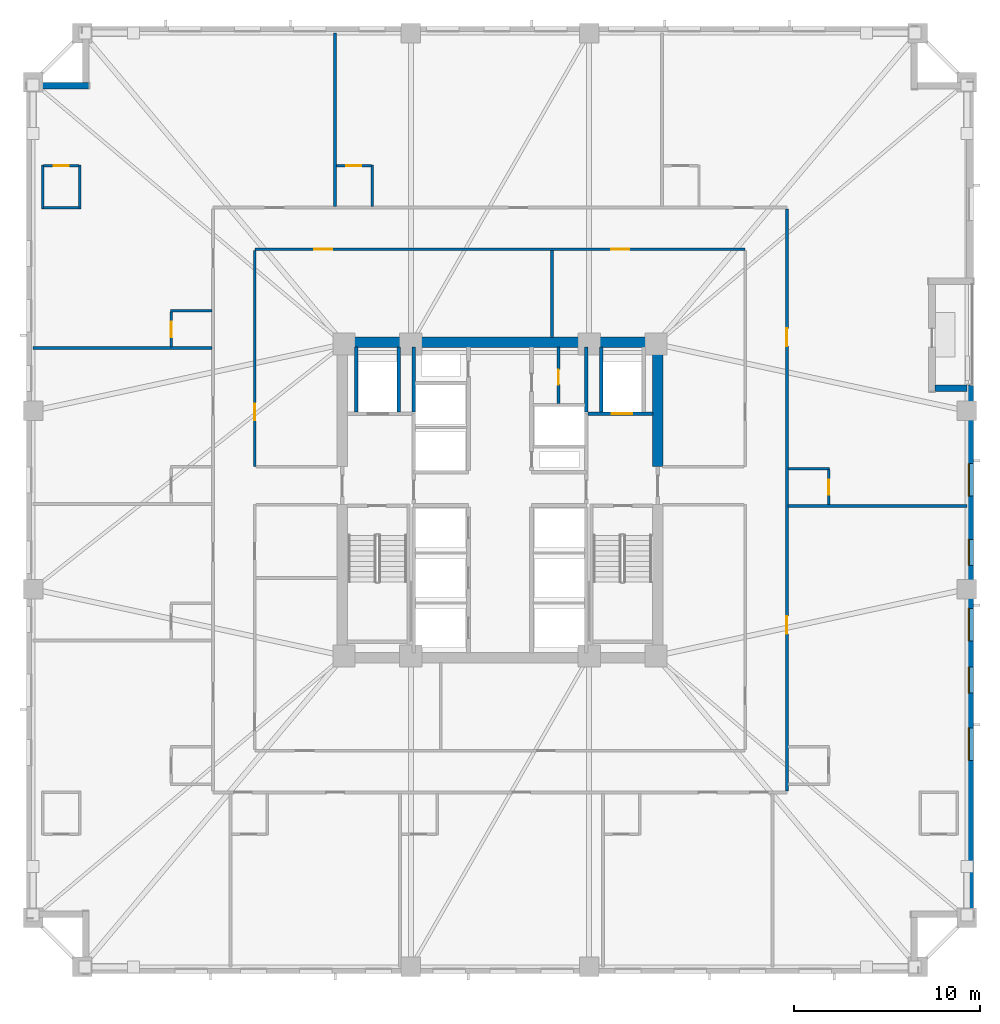
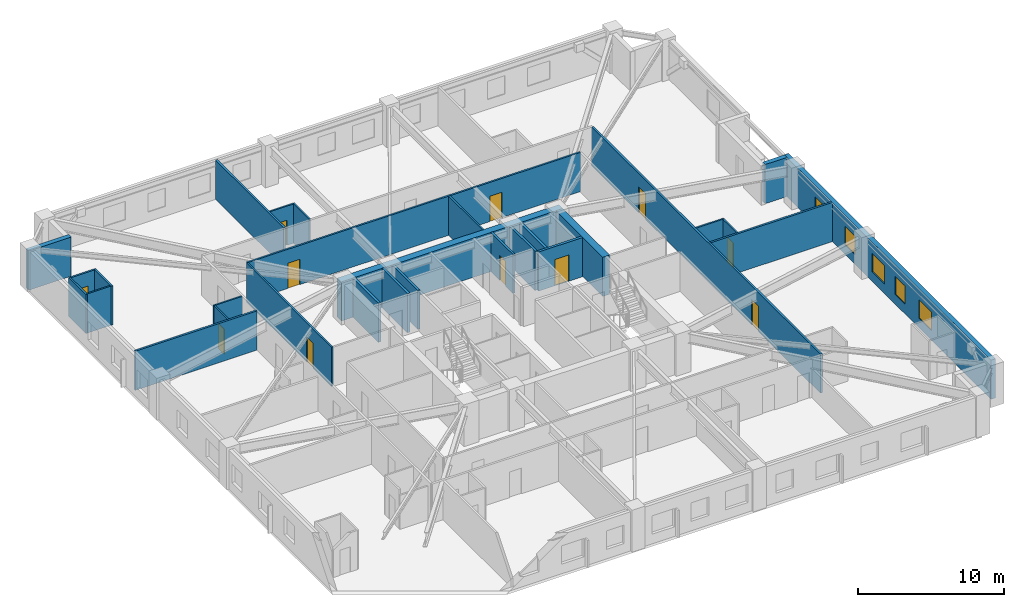
# One storey, part 5 of 11: 29 walls, 11 doors, 5 windows, 16 openings.
"""IFC4 building model written with IfcOpenShell, lengths in metres."""

from ifc_helpers import new_model, si_unit, direction, frame, frame_2d, origin, place, context, subcontext, project, spatial, rectangle, extrude, material, layer, layer_set, type_object, element, fill, save


model = new_model("IFC4")

# Units and contexts
model_context = context("Model", 3, precision=1e-05, world=origin(), true_north=direction((0.0, 1.0)))
body_context = subcontext(model_context, "Body", "Model", "MODEL_VIEW")
ifc_project = project(units=[si_unit("LENGTHUNIT", "METRE"), si_unit("AREAUNIT", "SQUARE_METRE"), si_unit("VOLUMEUNIT", "CUBIC_METRE"), si_unit("PLANEANGLEUNIT", "RADIAN"), si_unit("MASSUNIT", "GRAM", prefix="KILO")], contexts=[model_context])

# Site, building, storey
site_placement = place(None, origin())
site = spatial("IfcSite", under=ifc_project, at=site_placement, CompositionType="ELEMENT")
building_placement = place(site_placement, origin())
building = spatial("IfcBuilding", under=site, at=building_placement, Name="Cairnveth Concourse Tower", CompositionType="ELEMENT")
storey_placement = place(building_placement, frame((0.0, 0.0, 79.5)))
storey = spatial("IfcBuildingStorey", under=building, at=storey_placement, Name="L21", CompositionType="ELEMENT", Elevation=79.5)

# Wall, opening, door
ifc_material_1 = material(Name="Gypsum Plasterboard Partition", Category="gypsum")
ifc_layer_1 = layer(ifc_material_1, 0.159912109375)
ifc_layer_set_1 = layer_set([ifc_layer_1], Name="Gypsum Plasterboard Partition")
wall_type_1 = type_object("IfcWallType", Name="ACOUSTIC PARTY WALL 180", PredefinedType="PARTITIONING", material=ifc_layer_set_1)
wall_1_placement = place(storey_placement, frame((55.14990234375, 44.195068359375, 0.0), z_axis=(0.0, 0.0, 1.0), x_axis=(0.0, 1.0, 0.0)))
wall_1 = element("IfcWall", 1, at=wall_1_placement, inside=storey, type_object=wall_type_1, Name="Interior Wall IW-L21-037", PredefinedType="PARTITIONING", context=body_context, shape_type="SweptSolid", body=[
    extrude(rectangle(XDim=3.044921875, YDim=0.159912109375, at=frame_2d((1.5224609375, 0.0))), origin(), (0.0, 0.0, 1.0), 3.280029296875),
])
opening_1_placement = place(wall_1_placement, frame((1.02490234375, 0.0, 0.0)))
opening_1 = element("IfcOpeningElement", 2, at=opening_1_placement, cuts=wall_1, Name="Opening ID23", PredefinedType="OPENING", context=body_context, shape_type="SweptSolid", body=[
    extrude(rectangle(XDim=0.800048828125, YDim=2.10009765625, at=frame_2d((0.39990234375, 1.050048828125))), frame((0.0, 0.08984375, 0.0), z_axis=(0.0, -1.0, 0.0), x_axis=(1.0, 0.0, 0.0)), (0.0, 0.0, 1.0), 0.179931640625),
])
ifc_material_2 = material(Name="Steel Grade 350", Category="steel")
door_type_1 = type_object("IfcDoorType", Name="CORE SERVICE DOOR 800X2100", OperationType="NOTDEFINED", PredefinedType="DOOR", material=ifc_material_2)
door_1_placement = place(opening_1_placement, origin())
door_1 = element("IfcDoor", 3, at=door_1_placement, inside=storey, type_object=door_type_1, Name="NE Linen Closet Door L21", OperationType="SINGLE_SWING_LEFT", OverallHeight=2.10009765625, OverallWidth=0.800048828125, PredefinedType="DOOR", context=body_context, shape_type="SweptSolid", body=[
    extrude(rectangle(XDim=0.800048828125, YDim=2.10009765625, at=frame_2d((0.39990234375, 1.050048828125))), frame((0.0, 0.02490234375, 0.0), z_axis=(0.0, -1.0, 0.0), x_axis=(1.0, 0.0, 0.0)), (0.0, 0.0, 1.0), 0.050048828125),
])
fill(opening_1, door_1)

# Wall, openings, doors
wall_2_placement = place(storey_placement, frame((67.449951171875, 23.31494140625, 0.0), z_axis=(0.0, 0.0, 1.0), x_axis=(0.0, 1.0, 0.0)))
wall_2 = element("IfcWall", 4, at=wall_2_placement, inside=storey, type_object=wall_type_1, Name="Interior Wall IW-L21-041", PredefinedType="PARTITIONING", context=body_context, shape_type="SweptSolid", body=[
    extrude(rectangle(XDim=31.3701171875, YDim=0.159912109375, at=frame_2d((15.68505859375, 0.0))), origin(), (0.0, 0.0, 1.0), 3.280029296875),
])
opening_2_placement = place(wall_2_placement, frame((8.47412109375, 0.0, 0.0)))
opening_2 = element("IfcOpeningElement", 5, at=opening_2_placement, cuts=wall_2, Name="Opening ID09", PredefinedType="OPENING", context=body_context, shape_type="SweptSolid", body=[
    extrude(rectangle(XDim=0.9599609375, YDim=2.14990234375, at=frame_2d((0.47998046875, 1.074951171875))), frame((0.0, 0.08984375, 0.0), z_axis=(0.0, -1.0, 0.0), x_axis=(1.0, 0.0, 0.0)), (0.0, 0.0, 1.0), 0.179931640625),
])
opening_3_placement = place(wall_2_placement, frame((23.97412109375, 0.0, 0.0)))
opening_3 = element("IfcOpeningElement", 6, at=opening_3_placement, cuts=wall_2, Name="Opening ID09", PredefinedType="OPENING", context=body_context, shape_type="SweptSolid", body=[
    extrude(rectangle(XDim=0.9599609375, YDim=2.14990234375, at=frame_2d((0.47998046875, 1.074951171875))), frame((0.0, 0.08984375, 0.0), z_axis=(0.0, -1.0, 0.0), x_axis=(1.0, 0.0, 0.0)), (0.0, 0.0, 1.0), 0.179931640625),
])
ifc_material_3 = material(Name="Solid Core Hardwood Timber Leaf", Category="wood")
door_type_2 = type_object("IfcDoorType", Name="HOTEL ENTRANCE DOOR 960X2150", OperationType="NOTDEFINED", PredefinedType="DOOR", material=ifc_material_3)
door_2_placement = place(opening_2_placement, origin())
door_2 = element("IfcDoor", 7, at=door_2_placement, inside=storey, type_object=door_type_2, Name="Hotel Room Door L21-E1", OperationType="SINGLE_SWING_RIGHT", OverallHeight=2.14990234375, OverallWidth=0.9599609375, PredefinedType="DOOR", context=body_context, shape_type="SweptSolid", body=[
    extrude(rectangle(XDim=0.9599609375, YDim=2.14990234375, at=frame_2d((0.47998046875, 1.074951171875))), frame((0.0, 0.02490234375, 0.0), z_axis=(0.0, -1.0, 0.0), x_axis=(1.0, 0.0, 0.0)), (0.0, 0.0, 1.0), 0.050048828125),
])
fill(opening_2, door_2)
door_3_placement = place(opening_3_placement, origin())
door_3 = element("IfcDoor", 8, at=door_3_placement, inside=storey, type_object=door_type_2, Name="Hotel Room Door L21-E2", OperationType="SINGLE_SWING_RIGHT", OverallHeight=2.14990234375, OverallWidth=0.9599609375, PredefinedType="DOOR", context=body_context, shape_type="SweptSolid", body=[
    extrude(rectangle(XDim=0.9599609375, YDim=2.14990234375, at=frame_2d((0.47998046875, 1.074951171875))), frame((0.0, 0.02490234375, 0.0), z_axis=(0.0, -1.0, 0.0), x_axis=(1.0, 0.0, 0.0)), (0.0, 0.0, 1.0), 0.050048828125),
])
fill(opening_3, door_3)

# Walls
wall_3_placement = place(storey_placement, frame((43.1201171875, 54.81494140625, 0.0), z_axis=(0.0, 0.0, 1.0), x_axis=(0.0, 1.0, 0.0)))
element("IfcWall", 9, at=wall_3_placement, inside=storey, type_object=wall_type_1, Name="Interior Wall IW-L21-077", PredefinedType="PARTITIONING", context=body_context, shape_type="SweptSolid", body=[
    extrude(rectangle(XDim=9.340087890625, YDim=0.159912109375, at=frame_2d((4.669921875, 0.0))), origin(), (0.0, 0.0, 1.0), 3.280029296875),
])
for number, where, z_axis, x_axis, name in (
    (10, (26.844970703125, 47.18701171875, 0.0), (0.0, 0.0, 1.0), (1.0, 0.0, 0.0), "Interior Wall IW-L21-092"),
    (11, (67.514892578125, 38.68798828125, 0.0), (0.0, 0.0, 1.0), (1.0, 0.0, 0.0), "Interior Wall IW-L21-098"),
):
    element("IfcWall", number, at=place(storey_placement, frame(where, z_axis=z_axis, x_axis=x_axis)), inside=storey, type_object=wall_type_1, Name=name, PredefinedType="PARTITIONING", context=body_context, shape_type="SweptSolid", body=[
        extrude(rectangle(XDim=9.64013671875, YDim=0.159912109375, at=frame_2d((4.820068359375, 0.0))), origin(), (0.0, 0.0, 1.0), 3.280029296875),
    ])
ifc_material_4 = material(Name="Concrete N80 (80 MPa)", Category="concrete")
ifc_layer_2 = layer(ifc_material_4, 0.550048828125)
ifc_layer_set_2 = layer_set([ifc_layer_2], Name="Concrete N80 (80 MPa)")
wall_type_2 = type_object("IfcWallType", Name="CORE SHEAR WALL 550", PredefinedType="SHEAR", material=ifc_layer_set_2)
wall_4_placement = place(storey_placement, frame((43.22509765625, 47.5, 0.0), z_axis=(0.0, 0.0, 1.0), x_axis=(1.0, 0.0, 0.0)))
element("IfcWall", 12, at=wall_4_placement, inside=storey, type_object=wall_type_2, Name="Core North Shear Wall L21", PredefinedType="SHEAR", context=body_context, shape_type="SweptSolid", body=[
    extrude(rectangle(XDim=17.5498046875, YDim=0.550048828125, at=frame_2d((8.77490234375, 0.0))), origin(), (0.0, 0.0, 1.0), 3.280029296875),
])
wall_5_placement = place(storey_placement, frame((60.5, 40.800048828125, 0.0), z_axis=(0.0, 0.0, 1.0), x_axis=(0.0, 1.0, 0.0)))
element("IfcWall", 13, at=wall_5_placement, inside=storey, type_object=wall_type_2, Name="Core East Shear Wall N L21", PredefinedType="SHEAR", context=body_context, shape_type="SweptSolid", body=[
    extrude(rectangle(XDim=6.43505859375, YDim=0.550048828125, at=frame_2d((3.217529296875, 0.0))), origin(), (0.0, 0.0, 1.0), 3.280029296875),
])
ifc_material_5 = material(Name="Concrete N50 (50 MPa)", Category="concrete")
ifc_layer_3 = layer(ifc_material_5, 0.179931640625)
ifc_layer_set_3 = layer_set([ifc_layer_3], Name="Concrete N50 (50 MPa)")
wall_type_3 = type_object("IfcWallType", Name="FIRE SHAFT WALL 180", PredefinedType="SOLIDWALL", material=ifc_layer_set_3)
for number, where, z_axis, x_axis, name in (
    (14, (47.35009765625, 43.735107421875, 0.0), (0.0, 0.0, 1.0), (0.0, 1.0, 0.0), "Interior Wall IW-L21-031"),
    (15, (56.64990234375, 43.735107421875, 0.0), (0.0, 0.0, 1.0), (0.0, 1.0, 0.0), "Interior Wall IW-L21-034"),
):
    element("IfcWall", number, at=place(storey_placement, frame(where, z_axis=z_axis, x_axis=x_axis)), inside=storey, type_object=wall_type_3, Name=name, PredefinedType="SOLIDWALL", context=body_context, shape_type="SweptSolid", body=[
        extrude(rectangle(XDim=3.5048828125, YDim=0.179931640625, at=frame_2d((1.75244140625, 0.0))), origin(), (0.0, 0.0, 1.0), 3.280029296875),
    ])
ifc_layer_4 = layer(ifc_material_5, 0.199951171875)
ifc_layer_set_4 = layer_set([ifc_layer_4], Name="Concrete N50 (50 MPa)")
wall_type_4 = type_object("IfcWallType", Name="FIRE SHAFT WALL 200", PredefinedType="SOLIDWALL", material=ifc_layer_set_4)
for number, where, z_axis, x_axis, name in (
    (16, (46.550048828125, 43.735107421875, 0.0), (0.0, 0.0, 1.0), (0.0, 1.0, 0.0), "Interior Wall IW-L21-018"),
    (17, (44.25, 43.735107421875, 0.0), (0.0, 0.0, 1.0), (0.0, 1.0, 0.0), "Interior Wall IW-L21-019"),
):
    element("IfcWall", number, at=place(storey_placement, frame(where, z_axis=z_axis, x_axis=x_axis)), inside=storey, type_object=wall_type_4, Name=name, PredefinedType="SOLIDWALL", context=body_context, shape_type="SweptSolid", body=[
        extrude(rectangle(XDim=3.5048828125, YDim=0.199951171875, at=frame_2d((1.75244140625, 0.0))), origin(), (0.0, 0.0, 1.0), 3.280029296875),
    ])

# Wall, opening, door
wall_6_placement = place(storey_placement, frame((56.735107421875, 43.64990234375, 0.0), z_axis=(0.0, 0.0, 1.0), x_axis=(1.0, 0.0, 0.0)))
wall_6 = element("IfcWall", 18, at=wall_6_placement, inside=storey, type_object=wall_type_4, Name="Interior Wall IW-L21-022", PredefinedType="SOLIDWALL", context=body_context, shape_type="SweptSolid", body=[
    extrude(rectangle(XDim=3.5048828125, YDim=0.199951171875, at=frame_2d((1.75244140625, 0.0))), origin(), (0.0, 0.0, 1.0), 3.280029296875),
])
opening_4_placement = place(wall_6_placement, frame((1.294921875, 0.0, 0.0)))
opening_4 = element("IfcOpeningElement", 19, at=opening_4_placement, cuts=wall_6, Name="Opening LD-1", PredefinedType="OPENING", context=body_context, shape_type="SweptSolid", body=[
    extrude(rectangle(XDim=1.10009765625, YDim=2.199951171875, at=frame_2d((0.550048828125, 1.10009765625))), frame((0.0, 0.10986328125, 0.0), z_axis=(0.0, -1.0, 0.0), x_axis=(1.0, 0.0, 0.0)), (0.0, 0.0, 1.0), 0.219970703125),
])
ifc_material_6 = material(Name="Architectural Bronze Anodised Aluminium 6063-T6", Category="aluminium")
door_type_3 = type_object("IfcDoorType", Name="LIFT LANDING DOOR 1100X2200", OperationType="SLIDING_TO_LEFT", PredefinedType="DOOR", material=ifc_material_6)
door_4_placement = place(opening_4_placement, origin())
door_4 = element("IfcDoor", 20, at=door_4_placement, inside=storey, type_object=door_type_3, Name="Lift FFL2 Landing Door L21", OperationType="SLIDING_TO_LEFT", OverallHeight=2.199951171875, OverallWidth=1.10009765625, PredefinedType="DOOR", context=body_context, shape_type="SweptSolid", body=[
    extrude(rectangle(XDim=1.10009765625, YDim=2.199951171875, at=frame_2d((0.550048828125, 1.10009765625))), frame((0.0, 0.02490234375, 0.0), z_axis=(0.0, -1.0, 0.0), x_axis=(1.0, 0.0, 0.0)), (0.0, 0.0, 1.0), 0.050048828125),
])
fill(opening_4, door_4)

# Wall
wall_7_placement = place(storey_placement, frame((57.449951171875, 43.735107421875, 0.0), z_axis=(0.0, 0.0, 1.0), x_axis=(0.0, 1.0, 0.0)))
element("IfcWall", 21, at=wall_7_placement, inside=storey, type_object=wall_type_4, Name="Interior Wall IW-L21-023", PredefinedType="SOLIDWALL", context=body_context, shape_type="SweptSolid", body=[
    extrude(rectangle(XDim=3.5048828125, YDim=0.199951171875, at=frame_2d((1.75244140625, 0.0))), origin(), (0.0, 0.0, 1.0), 3.280029296875),
])

# Wall, openings, doors
ifc_layer_5 = layer(ifc_material_1, 0.139892578125)
ifc_layer_set_5 = layer_set([ifc_layer_5], Name="Gypsum Plasterboard Partition")
wall_type_5 = type_object("IfcWallType", Name="GYPSUM STUD PARTITION 140", PredefinedType="PARTITIONING", material=ifc_layer_set_5)
wall_8_placement = place(storey_placement, frame((38.800048828125, 52.5, 0.0), z_axis=(0.0, 0.0, 1.0), x_axis=(1.0, 0.0, 0.0)))
wall_8 = element("IfcWall", 22, at=wall_8_placement, inside=storey, type_object=wall_type_5, Name="Interior Wall IW-L21-043", PredefinedType="PARTITIONING", context=body_context, shape_type="SweptSolid", body=[
    extrude(rectangle(XDim=26.39990234375, YDim=0.139892578125, at=frame_2d((13.199951171875, 0.0))), origin(), (0.0, 0.0, 1.0), 3.280029296875),
])
opening_5_placement = place(wall_8_placement, frame((3.199951171875, 0.0, 0.0)))
opening_5 = element("IfcOpeningElement", 23, at=opening_5_placement, cuts=wall_8, Name="Opening ID11", PredefinedType="OPENING", context=body_context, shape_type="SweptSolid", body=[
    extrude(rectangle(XDim=0.9599609375, YDim=2.1201171875, at=frame_2d((0.47998046875, 1.06005859375))), frame((0.0, 0.079833984375, 0.0), z_axis=(0.0, -1.0, 0.0), x_axis=(1.0, 0.0, 0.0)), (0.0, 0.0, 1.0), 0.159912109375),
])
opening_6_placement = place(wall_8_placement, frame((19.199951171875, 0.0, 0.0)))
opening_6 = element("IfcOpeningElement", 24, at=opening_6_placement, cuts=wall_8, Name="Opening ID11", PredefinedType="OPENING", context=body_context, shape_type="SweptSolid", body=[
    extrude(rectangle(XDim=0.9599609375, YDim=2.1201171875, at=frame_2d((0.47998046875, 1.06005859375))), frame((0.0, 0.079833984375, 0.0), z_axis=(0.0, -1.0, 0.0), x_axis=(1.0, 0.0, 0.0)), (0.0, 0.0, 1.0), 0.159912109375),
])
door_type_4 = type_object("IfcDoorType", Name="INTERIOR SINGLE DOOR 960X2150", OperationType="NOTDEFINED", PredefinedType="DOOR", material=ifc_material_3)
door_5_placement = place(opening_5_placement, origin())
door_5 = element("IfcDoor", 25, at=door_5_placement, inside=storey, type_object=door_type_4, Name="Interior Door DR-L21-016", OperationType="SINGLE_SWING_RIGHT", OverallHeight=2.1201171875, OverallWidth=0.9599609375, PredefinedType="DOOR", context=body_context, shape_type="SweptSolid", body=[
    extrude(rectangle(XDim=0.9599609375, YDim=2.1201171875, at=frame_2d((0.47998046875, 1.06005859375))), frame((0.0, 0.02490234375, 0.0), z_axis=(0.0, -1.0, 0.0), x_axis=(1.0, 0.0, 0.0)), (0.0, 0.0, 1.0), 0.050048828125),
])
fill(opening_5, door_5)
door_6_placement = place(opening_6_placement, origin())
door_6 = element("IfcDoor", 26, at=door_6_placement, inside=storey, type_object=door_type_4, Name="Interior Door DR-L21-017", OperationType="SINGLE_SWING_LEFT", OverallHeight=2.1201171875, OverallWidth=0.9599609375, PredefinedType="DOOR", context=body_context, shape_type="SweptSolid", body=[
    extrude(rectangle(XDim=0.9599609375, YDim=2.1201171875, at=frame_2d((0.47998046875, 1.06005859375))), frame((0.0, 0.02490234375, 0.0), z_axis=(0.0, -1.0, 0.0), x_axis=(1.0, 0.0, 0.0)), (0.0, 0.0, 1.0), 0.050048828125),
])
fill(opening_6, door_6)

# Wall, opening, door
wall_9_placement = place(storey_placement, frame((38.800048828125, 40.800048828125, 0.0), z_axis=(0.0, 0.0, 1.0), x_axis=(0.0, 1.0, 0.0)))
wall_9 = element("IfcWall", 27, at=wall_9_placement, inside=storey, type_object=wall_type_5, Name="Interior Wall IW-L21-045", PredefinedType="PARTITIONING", context=body_context, shape_type="SweptSolid", body=[
    extrude(rectangle(XDim=11.64501953125, YDim=0.139892578125, at=frame_2d((5.822509765625, 0.0))), origin(), (0.0, 0.0, 1.0), 3.280029296875),
])
opening_7_placement = place(wall_9_placement, frame((2.5, 0.0, 0.0)))
opening_7 = element("IfcOpeningElement", 28, at=opening_7_placement, cuts=wall_9, Name="Opening ID18", PredefinedType="OPENING", context=body_context, shape_type="SweptSolid", body=[
    extrude(rectangle(XDim=0.8798828125, YDim=2.10009765625, at=frame_2d((0.43994140625, 1.050048828125))), frame((0.0, 0.079833984375, 0.0), z_axis=(0.0, -1.0, 0.0), x_axis=(1.0, 0.0, 0.0)), (0.0, 0.0, 1.0), 0.159912109375),
])
door_type_5 = type_object("IfcDoorType", Name="INTERIOR SINGLE DOOR 880X2100", OperationType="NOTDEFINED", PredefinedType="DOOR", material=ifc_material_3)
door_7_placement = place(opening_7_placement, origin())
door_7 = element("IfcDoor", 29, at=door_7_placement, inside=storey, type_object=door_type_5, Name="Interior Door DR-L21-020", OperationType="SINGLE_SWING_RIGHT", OverallHeight=2.10009765625, OverallWidth=0.8798828125, PredefinedType="DOOR", context=body_context, shape_type="SweptSolid", body=[
    extrude(rectangle(XDim=0.8798828125, YDim=2.10009765625, at=frame_2d((0.43994140625, 1.050048828125))), frame((0.0, 0.02490234375, 0.0), z_axis=(0.0, -1.0, 0.0), x_axis=(1.0, 0.0, 0.0)), (0.0, 0.0, 1.0), 0.050048828125),
])
fill(opening_7, door_7)

# Walls
wall_10_placement = place(storey_placement, frame((54.800048828125, 47.760009765625, 0.0), z_axis=(0.0, 0.0, 1.0), x_axis=(0.0, 1.0, 0.0)))
element("IfcWall", 30, at=wall_10_placement, inside=storey, type_object=wall_type_5, Name="Interior Wall IW-L21-053", PredefinedType="PARTITIONING", context=body_context, shape_type="SweptSolid", body=[
    extrude(rectangle(XDim=4.68505859375, YDim=0.139892578125, at=frame_2d((2.342529296875, 0.0))), origin(), (0.0, 0.0, 1.0), 3.280029296875),
])
ifc_layer_6 = layer(ifc_material_1, 0.1298828125)
ifc_layer_set_6 = layer_set([ifc_layer_6], Name="Gypsum Plasterboard Partition")
wall_type_6 = type_object("IfcWallType", Name="WET AREA PARTITION 140", PredefinedType="PLUMBINGWALL", material=ifc_layer_set_6)
for number, where, z_axis, x_axis, name in (
    (31, (27.3701171875, 54.669921875, 0.0), (0.0, 0.0, 1.0), (0.0, 1.0, 0.0), "Interior Wall IW-L21-073"),
    (32, (29.3701171875, 54.669921875, 0.0), (0.0, 0.0, 1.0), (0.0, 1.0, 0.0), "Interior Wall IW-L21-074"),
):
    element("IfcWall", number, at=place(storey_placement, frame(where, z_axis=z_axis, x_axis=x_axis)), inside=storey, type_object=wall_type_6, Name=name, PredefinedType="PLUMBINGWALL", context=body_context, shape_type="SweptSolid", body=[
        extrude(rectangle(XDim=2.380126953125, YDim=0.1298828125, at=frame_2d((1.18994140625, 0.0))), origin(), (0.0, 0.0, 1.0), 3.280029296875),
    ])

# Wall, opening, door
wall_11_placement = place(storey_placement, frame((27.419921875, 57.0, 0.0), z_axis=(0.0, 0.0, 1.0), x_axis=(1.0, 0.0, 0.0)))
wall_11 = element("IfcWall", 33, at=wall_11_placement, inside=storey, type_object=wall_type_6, Name="Interior Wall IW-L21-075", PredefinedType="PLUMBINGWALL", context=body_context, shape_type="SweptSolid", body=[
    extrude(rectangle(XDim=1.900146484375, YDim=0.1298828125, at=frame_2d((0.9501953125, 0.0))), origin(), (0.0, 0.0, 1.0), 3.280029296875),
])
opening_8_placement = place(wall_11_placement, frame((0.5400390625, 0.0, 0.0)))
opening_8 = element("IfcOpeningElement", 34, at=opening_8_placement, cuts=wall_11, Name="Opening ID22", PredefinedType="OPENING", context=body_context, shape_type="SweptSolid", body=[
    extrude(rectangle(XDim=0.820068359375, YDim=2.10009765625, at=frame_2d((0.41015625, 1.050048828125))), frame((0.0, 0.074951171875, 0.0), z_axis=(0.0, -1.0, 0.0), x_axis=(1.0, 0.0, 0.0)), (0.0, 0.0, 1.0), 0.14990234375),
])
door_type_6 = type_object("IfcDoorType", Name="INTERIOR WC DOOR 820X2100", OperationType="NOTDEFINED", PredefinedType="DOOR", material=ifc_material_3)
door_8_placement = place(opening_8_placement, origin())
door_8 = element("IfcDoor", 35, at=door_8_placement, inside=storey, type_object=door_type_6, Name="En-Suite Door L21-N1", OperationType="SINGLE_SWING_LEFT", OverallHeight=2.10009765625, OverallWidth=0.820068359375, PredefinedType="DOOR", context=body_context, shape_type="SweptSolid", body=[
    extrude(rectangle(XDim=0.820068359375, YDim=2.10009765625, at=frame_2d((0.41015625, 1.050048828125))), frame((0.0, 0.02490234375, 0.0), z_axis=(0.0, -1.0, 0.0), x_axis=(1.0, 0.0, 0.0)), (0.0, 0.0, 1.0), 0.050048828125),
])
fill(opening_8, door_8)

# Walls
wall_12_placement = place(storey_placement, frame((27.419921875, 54.75, 0.0), z_axis=(0.0, 0.0, 1.0), x_axis=(1.0, 0.0, 0.0)))
element("IfcWall", 36, at=wall_12_placement, inside=storey, type_object=wall_type_6, Name="Interior Wall IW-L21-076", PredefinedType="PLUMBINGWALL", context=body_context, shape_type="SweptSolid", body=[
    extrude(rectangle(XDim=1.900146484375, YDim=0.1298828125, at=frame_2d((0.9501953125, 0.0))), origin(), (0.0, 0.0, 1.0), 3.280029296875),
])
wall_13_placement = place(storey_placement, frame((45.1201171875, 54.81494140625, 0.0), z_axis=(0.0, 0.0, 1.0), x_axis=(0.0, 1.0, 0.0)))
element("IfcWall", 37, at=wall_13_placement, inside=storey, type_object=wall_type_6, Name="Interior Wall IW-L21-078", PredefinedType="PLUMBINGWALL", context=body_context, shape_type="SweptSolid", body=[
    extrude(rectangle(XDim=2.235107421875, YDim=0.1298828125, at=frame_2d((1.11767578125, 0.0))), origin(), (0.0, 0.0, 1.0), 3.280029296875),
])

# Wall, opening, door
wall_14_placement = place(storey_placement, frame((43.18505859375, 57.0, 0.0), z_axis=(0.0, 0.0, 1.0), x_axis=(1.0, 0.0, 0.0)))
wall_14 = element("IfcWall", 38, at=wall_14_placement, inside=storey, type_object=wall_type_6, Name="Interior Wall IW-L21-079", PredefinedType="PLUMBINGWALL", context=body_context, shape_type="SweptSolid", body=[
    extrude(rectangle(XDim=1.885009765625, YDim=0.1298828125, at=frame_2d((0.9423828125, 0.0))), origin(), (0.0, 0.0, 1.0), 3.280029296875),
])
opening_9_placement = place(wall_14_placement, frame((0.52490234375, 0.0, 0.0)))
opening_9 = element("IfcOpeningElement", 39, at=opening_9_placement, cuts=wall_14, Name="Opening ID22", PredefinedType="OPENING", context=body_context, shape_type="SweptSolid", body=[
    extrude(rectangle(XDim=0.820068359375, YDim=2.10009765625, at=frame_2d((0.41015625, 1.050048828125))), frame((0.0, 0.074951171875, 0.0), z_axis=(0.0, -1.0, 0.0), x_axis=(1.0, 0.0, 0.0)), (0.0, 0.0, 1.0), 0.14990234375),
])
door_9_placement = place(opening_9_placement, origin())
door_9 = element("IfcDoor", 40, at=door_9_placement, inside=storey, type_object=door_type_6, Name="En-Suite Door L21-N2", OperationType="SINGLE_SWING_LEFT", OverallHeight=2.10009765625, OverallWidth=0.820068359375, PredefinedType="DOOR", context=body_context, shape_type="SweptSolid", body=[
    extrude(rectangle(XDim=0.820068359375, YDim=2.10009765625, at=frame_2d((0.41015625, 1.050048828125))), frame((0.0, 0.02490234375, 0.0), z_axis=(0.0, -1.0, 0.0), x_axis=(1.0, 0.0, 0.0)), (0.0, 0.0, 1.0), 0.050048828125),
])
fill(opening_9, door_9)

# Wall
wall_15_placement = place(storey_placement, frame((34.25, 49.18701171875, 0.0), z_axis=(0.0, 0.0, 1.0), x_axis=(1.0, 0.0, 0.0)))
element("IfcWall", 41, at=wall_15_placement, inside=storey, type_object=wall_type_6, Name="Interior Wall IW-L21-093", PredefinedType="PLUMBINGWALL", context=body_context, shape_type="SweptSolid", body=[
    extrude(rectangle(XDim=2.235107421875, YDim=0.1298828125, at=frame_2d((1.11767578125, 0.0))), origin(), (0.0, 0.0, 1.0), 3.280029296875),
])

# Wall, opening, door
wall_16_placement = place(storey_placement, frame((34.300048828125, 47.251953125, 0.0), z_axis=(0.0, 0.0, 1.0), x_axis=(0.0, 1.0, 0.0)))
wall_16 = element("IfcWall", 42, at=wall_16_placement, inside=storey, type_object=wall_type_6, Name="Interior Wall IW-L21-094", PredefinedType="PLUMBINGWALL", context=body_context, shape_type="SweptSolid", body=[
    extrude(rectangle(XDim=1.885009765625, YDim=0.1298828125, at=frame_2d((0.9423828125, 0.0))), origin(), (0.0, 0.0, 1.0), 3.280029296875),
])
opening_10_placement = place(wall_16_placement, frame((0.52490234375, 0.0, 0.0)))
opening_10 = element("IfcOpeningElement", 43, at=opening_10_placement, cuts=wall_16, Name="Opening ID22", PredefinedType="OPENING", context=body_context, shape_type="SweptSolid", body=[
    extrude(rectangle(XDim=0.820068359375, YDim=2.10009765625, at=frame_2d((0.41015625, 1.050048828125))), frame((0.0, 0.074951171875, 0.0), z_axis=(0.0, -1.0, 0.0), x_axis=(1.0, 0.0, 0.0)), (0.0, 0.0, 1.0), 0.14990234375),
])
door_10_placement = place(opening_10_placement, origin())
door_10 = element("IfcDoor", 44, at=door_10_placement, inside=storey, type_object=door_type_6, Name="En-Suite Door L21-W4", OperationType="SINGLE_SWING_LEFT", OverallHeight=2.10009765625, OverallWidth=0.820068359375, PredefinedType="DOOR", context=body_context, shape_type="SweptSolid", body=[
    extrude(rectangle(XDim=0.820068359375, YDim=2.10009765625, at=frame_2d((0.41015625, 1.050048828125))), frame((0.0, 0.02490234375, 0.0), z_axis=(0.0, -1.0, 0.0), x_axis=(1.0, 0.0, 0.0)), (0.0, 0.0, 1.0), 0.050048828125),
])
fill(opening_10, door_10)

# Wall
wall_17_placement = place(storey_placement, frame((67.514892578125, 40.68798828125, 0.0), z_axis=(0.0, 0.0, 1.0), x_axis=(1.0, 0.0, 0.0)))
element("IfcWall", 45, at=wall_17_placement, inside=storey, type_object=wall_type_6, Name="Interior Wall IW-L21-099", PredefinedType="PLUMBINGWALL", context=body_context, shape_type="SweptSolid", body=[
    extrude(rectangle(XDim=2.235107421875, YDim=0.1298828125, at=frame_2d((1.11767578125, 0.0))), origin(), (0.0, 0.0, 1.0), 3.280029296875),
])

# Wall, opening, door
wall_18_placement = place(storey_placement, frame((69.699951171875, 38.7529296875, 0.0), z_axis=(0.0, 0.0, 1.0), x_axis=(0.0, 1.0, 0.0)))
wall_18 = element("IfcWall", 46, at=wall_18_placement, inside=storey, type_object=wall_type_6, Name="Interior Wall IW-L21-100", PredefinedType="PLUMBINGWALL", context=body_context, shape_type="SweptSolid", body=[
    extrude(rectangle(XDim=1.885009765625, YDim=0.1298828125, at=frame_2d((0.9423828125, 0.0))), origin(), (0.0, 0.0, 1.0), 3.280029296875),
])
opening_11_placement = place(wall_18_placement, frame((0.52490234375, 0.0, 0.0)))
opening_11 = element("IfcOpeningElement", 47, at=opening_11_placement, cuts=wall_18, Name="Opening ID22", PredefinedType="OPENING", context=body_context, shape_type="SweptSolid", body=[
    extrude(rectangle(XDim=0.820068359375, YDim=2.10009765625, at=frame_2d((0.41015625, 1.050048828125))), frame((0.0, 0.074951171875, 0.0), z_axis=(0.0, -1.0, 0.0), x_axis=(1.0, 0.0, 0.0)), (0.0, 0.0, 1.0), 0.14990234375),
])
door_11_placement = place(opening_11_placement, origin())
door_11 = element("IfcDoor", 48, at=door_11_placement, inside=storey, type_object=door_type_6, Name="En-Suite Door L21-E2", OperationType="SINGLE_SWING_LEFT", OverallHeight=2.10009765625, OverallWidth=0.820068359375, PredefinedType="DOOR", context=body_context, shape_type="SweptSolid", body=[
    extrude(rectangle(XDim=0.820068359375, YDim=2.10009765625, at=frame_2d((0.41015625, 1.050048828125))), frame((0.0, 0.02490234375, 0.0), z_axis=(0.0, -1.0, 0.0), x_axis=(1.0, 0.0, 0.0)), (0.0, 0.0, 1.0), 0.050048828125),
])
fill(opening_11, door_11)

# Wall, openings, windows
ifc_material_7 = material(Name="Hawthorn Red-Ochre Fired Clay Brick Masonry", Category="masonry")
ifc_layer_7 = layer(ifc_material_7, 0.360107421875)
ifc_layer_set_7 = layer_set([ifc_layer_7], Name="Hawthorn Red-Ochre Fired Clay Brick Masonry")
wall_type_7 = type_object("IfcWallType", Name="ZONE 1 BRICK PIER SPANDREL WALL 360", PredefinedType="SOLIDWALL", material=ifc_layer_set_7)
wall_19_placement = place(storey_placement, frame((77.320068359375, 45.199951171875, 0.0), z_axis=(0.0, 0.0, 1.0), x_axis=(0.0, -1.0, 0.0)))
wall_19 = element("IfcWall", 49, at=wall_19_placement, inside=storey, type_object=wall_type_7, Name="Exterior Wall EW-L21-S00", PredefinedType="SOLIDWALL", context=body_context, shape_type="SweptSolid", body=[
    extrude(rectangle(XDim=28.362060546875, YDim=0.360107421875, at=frame_2d((14.18115234375, 0.0))), origin(), (0.0, 0.0, 1.0), 3.280029296875),
])
opening_12_placement = place(wall_19_placement, frame((4.246826171875, 0.0, 0.800048828125)))
opening_12 = element("IfcOpeningElement", 50, at=opening_12_placement, cuts=wall_19, Name="Opening W06", PredefinedType="OPENING", context=body_context, shape_type="SweptSolid", body=[
    extrude(rectangle(XDim=1.75, YDim=1.5439453125, at=frame_2d((0.875, 0.77197265625))), frame((0.0, 0.18994140625, 0.0), z_axis=(0.0, -1.0, 0.0), x_axis=(1.0, 0.0, 0.0)), (0.0, 0.0, 1.0), 0.380126953125),
])
opening_13_placement = place(wall_19_placement, frame((8.3154296875, 0.0, 0.800048828125)))
opening_13 = element("IfcOpeningElement", 51, at=opening_13_placement, cuts=wall_19, Name="Opening W05", PredefinedType="OPENING", context=body_context, shape_type="SweptSolid", body=[
    extrude(rectangle(XDim=1.39990234375, YDim=1.5439453125, at=frame_2d((0.699951171875, 0.77197265625))), frame((0.0, 0.18994140625, 0.0), z_axis=(0.0, -1.0, 0.0), x_axis=(1.0, 0.0, 0.0)), (0.0, 0.0, 1.0), 0.380126953125),
])
opening_14_placement = place(wall_19_placement, frame((12.0341796875, 0.0, 0.800048828125)))
opening_14 = element("IfcOpeningElement", 52, at=opening_14_placement, cuts=wall_19, Name="Opening W06", PredefinedType="OPENING", context=body_context, shape_type="SweptSolid", body=[
    extrude(rectangle(XDim=1.75, YDim=1.5439453125, at=frame_2d((0.875, 0.77197265625))), frame((0.0, 0.18994140625, 0.0), z_axis=(0.0, -1.0, 0.0), x_axis=(1.0, 0.0, 0.0)), (0.0, 0.0, 1.0), 0.380126953125),
])
opening_15_placement = place(wall_19_placement, frame((15.202880859375, 0.0, 0.800048828125)))
opening_15 = element("IfcOpeningElement", 53, at=opening_15_placement, cuts=wall_19, Name="Opening W05", PredefinedType="OPENING", context=body_context, shape_type="SweptSolid", body=[
    extrude(rectangle(XDim=1.39990234375, YDim=1.5439453125, at=frame_2d((0.699951171875, 0.77197265625))), frame((0.0, 0.18994140625, 0.0), z_axis=(0.0, -1.0, 0.0), x_axis=(1.0, 0.0, 0.0)), (0.0, 0.0, 1.0), 0.380126953125),
])
opening_16_placement = place(wall_19_placement, frame((18.471435546875, 0.0, 0.800048828125)))
opening_16 = element("IfcOpeningElement", 54, at=opening_16_placement, cuts=wall_19, Name="Opening W06", PredefinedType="OPENING", context=body_context, shape_type="SweptSolid", body=[
    extrude(rectangle(XDim=1.75, YDim=1.5439453125, at=frame_2d((0.875, 0.77197265625))), frame((0.0, 0.18994140625, 0.0), z_axis=(0.0, -1.0, 0.0), x_axis=(1.0, 0.0, 0.0)), (0.0, 0.0, 1.0), 0.380126953125),
])
ifc_material_8 = material(Name="Double Glazed Low-E Clear Glass", Category="glass")
window_type_1 = type_object("IfcWindowType", Name="DEEP-SET HOTEL CASEMENT WINDOW 1400X1750", PartitioningType="DOUBLE_PANEL_VERTICAL", PredefinedType="WINDOW", material=ifc_material_8)
window_1_placement = place(opening_13_placement, origin())
window_1 = element("IfcWindow", 55, at=window_1_placement, inside=storey, type_object=window_type_1, Name="Gothic Lancet Window L21-0-2", OverallHeight=1.5439453125, OverallWidth=1.39990234375, PartitioningType="SINGLE_PANEL", PredefinedType="WINDOW", context=body_context, shape_type="SweptSolid", body=[
    extrude(rectangle(XDim=1.39990234375, YDim=1.5439453125, at=frame_2d((0.699951171875, 0.77197265625))), frame((0.0, -0.050048828125, 0.0), z_axis=(0.0, -1.0, 0.0), x_axis=(1.0, 0.0, 0.0)), (0.0, 0.0, 1.0), 0.06005859375),
])
fill(opening_13, window_1)
window_2_placement = place(opening_15_placement, origin())
window_2 = element("IfcWindow", 56, at=window_2_placement, inside=storey, type_object=window_type_1, Name="Gothic Lancet Window L21-0-4", OverallHeight=1.5439453125, OverallWidth=1.39990234375, PartitioningType="SINGLE_PANEL", PredefinedType="WINDOW", context=body_context, shape_type="SweptSolid", body=[
    extrude(rectangle(XDim=1.39990234375, YDim=1.5439453125, at=frame_2d((0.699951171875, 0.77197265625))), frame((0.0, -0.050048828125, 0.0), z_axis=(0.0, -1.0, 0.0), x_axis=(1.0, 0.0, 0.0)), (0.0, 0.0, 1.0), 0.06005859375),
])
fill(opening_15, window_2)
window_type_2 = type_object("IfcWindowType", Name="DEEP-SET HOTEL SUITE WINDOW 1750X1800", PartitioningType="DOUBLE_PANEL_VERTICAL", PredefinedType="WINDOW", material=ifc_material_8)
window_3_placement = place(opening_12_placement, origin())
window_3 = element("IfcWindow", 57, at=window_3_placement, inside=storey, type_object=window_type_2, Name="Gothic Lancet Window L21-0-1", OverallHeight=1.5439453125, OverallWidth=1.75, PartitioningType="SINGLE_PANEL", PredefinedType="WINDOW", context=body_context, shape_type="SweptSolid", body=[
    extrude(rectangle(XDim=1.75, YDim=1.5439453125, at=frame_2d((0.875, 0.77197265625))), frame((0.0, -0.050048828125, 0.0), z_axis=(0.0, -1.0, 0.0), x_axis=(1.0, 0.0, 0.0)), (0.0, 0.0, 1.0), 0.06005859375),
])
fill(opening_12, window_3)
window_4_placement = place(opening_14_placement, origin())
window_4 = element("IfcWindow", 58, at=window_4_placement, inside=storey, type_object=window_type_2, Name="Gothic Lancet Window L21-0-3", OverallHeight=1.5439453125, OverallWidth=1.75, PartitioningType="SINGLE_PANEL", PredefinedType="WINDOW", context=body_context, shape_type="SweptSolid", body=[
    extrude(rectangle(XDim=1.75, YDim=1.5439453125, at=frame_2d((0.875, 0.77197265625))), frame((0.0, -0.050048828125, 0.0), z_axis=(0.0, -1.0, 0.0), x_axis=(1.0, 0.0, 0.0)), (0.0, 0.0, 1.0), 0.06005859375),
])
fill(opening_14, window_4)
window_5_placement = place(opening_16_placement, origin())
window_5 = element("IfcWindow", 59, at=window_5_placement, inside=storey, type_object=window_type_2, Name="Gothic Lancet Window L21-0-5", OverallHeight=1.5439453125, OverallWidth=1.75, PartitioningType="SINGLE_PANEL", PredefinedType="WINDOW", context=body_context, shape_type="SweptSolid", body=[
    extrude(rectangle(XDim=1.75, YDim=1.5439453125, at=frame_2d((0.875, 0.77197265625))), frame((0.0, -0.050048828125, 0.0), z_axis=(0.0, -1.0, 0.0), x_axis=(1.0, 0.0, 0.0)), (0.0, 0.0, 1.0), 0.06005859375),
])
fill(opening_16, window_5)

# Walls
wall_20_placement = place(storey_placement, frame((26.5, 61.320068359375, 0.0), z_axis=(0.0, 0.0, 1.0), x_axis=(1.0, 0.0, 0.0)))
element("IfcWall", 60, at=wall_20_placement, inside=storey, type_object=wall_type_7, Name="Exterior Wall EW-L21-S07", PredefinedType="SOLIDWALL", context=body_context, shape_type="SweptSolid", body=[
    extrude(rectangle(XDim=3.360107421875, YDim=0.360107421875, at=frame_2d((1.68017578125, 0.0))), origin(), (0.0, 0.0, 1.0), 3.280029296875),
])
wall_21_placement = place(storey_placement, frame((75.427978515625, 45.02001953125, 0.0), z_axis=(0.0, 0.0, 1.0), x_axis=(1.0, 0.0, 0.0)))
element("IfcWall", 61, at=wall_21_placement, inside=storey, type_object=wall_type_7, Name="Exterior Wall EW-L21-S15", PredefinedType="SOLIDWALL", context=body_context, shape_type="SweptSolid", body=[
    extrude(rectangle(XDim=1.734130859375, YDim=0.360107421875, at=frame_2d((0.8671875, 0.0))), origin(), (0.0, 0.0, 1.0), 3.280029296875),
])

save(model, "model.ifc")
